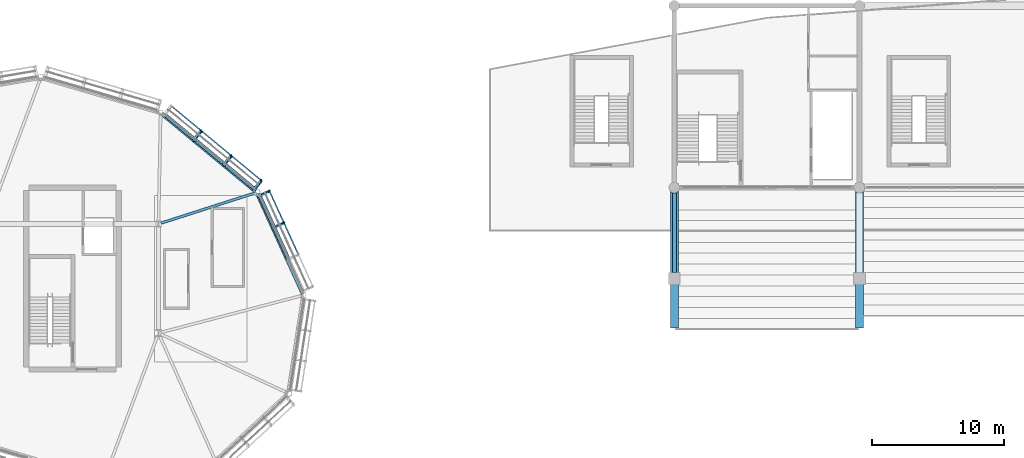
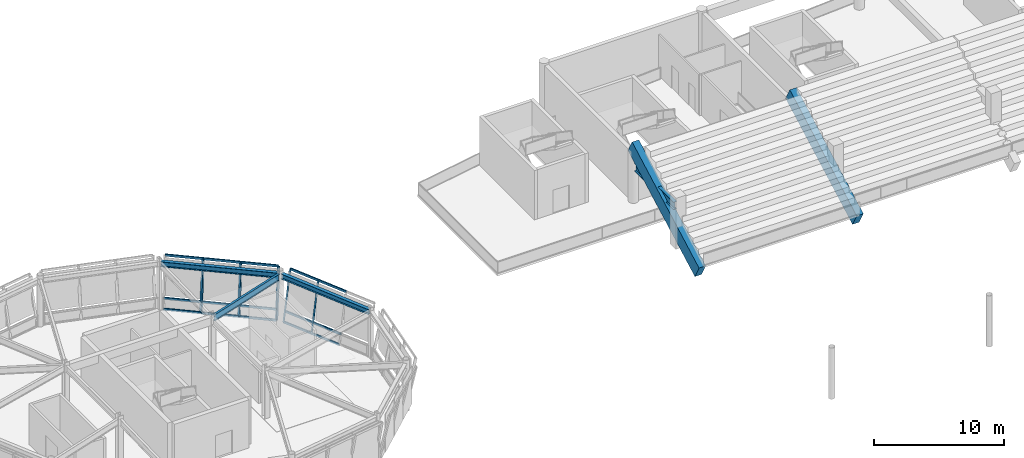
# One storey, part 47 of 94: 20 members, 6 beams, 2 elements without a shape of their own.
"""IFC4 building model written with IfcOpenShell, lengths in metres."""

from ifc_helpers import new_model, si_unit, direction, frame, origin, origin_2d, place, context, subcontext, project, spatial, rectangle, hollow_rectangle, i_section, extrude, material, material_profile, profile_set, type_object, element, aggregate, save


model = new_model("IFC4")

# Units and contexts
model_context = context("Model", 3, precision=1e-05, world=origin(), true_north=direction((0.0, 1.0)))
body_context = subcontext(model_context, "Body", "Model", "MODEL_VIEW")
ifc_project = project(units=[si_unit("LENGTHUNIT", "METRE"), si_unit("AREAUNIT", "SQUARE_METRE"), si_unit("VOLUMEUNIT", "CUBIC_METRE"), si_unit("PLANEANGLEUNIT", "RADIAN"), si_unit("MASSUNIT", "GRAM", prefix="KILO")], contexts=[model_context])

# Site, building, storey
site_placement = place(None, origin())
site = spatial("IfcSite", under=ifc_project, at=site_placement, CompositionType="ELEMENT")
building_placement = place(site_placement, origin())
building = spatial("IfcBuilding", under=site, at=building_placement, Name="Linyun Crest Stadium", CompositionType="ELEMENT")
storey_placement = place(building_placement, frame((0.0, 0.0, 16.199951171875)))
storey = spatial("IfcBuildingStorey", under=building, at=storey_placement, Name="L04", CompositionType="ELEMENT", Elevation=16.199951171875)

# Beams
ifc_material_1 = material(Name="Steel Q355C", Category="steel")
ifc_material_profile_1 = material_profile(ifc_material_1, i_section(OverallWidth=0.300048828125, OverallDepth=0.488037109375, WebThickness=0.010986328125, FlangeThickness=0.01806640625, at=origin_2d()), Name="HM 488x300")
ifc_profile_set_1 = profile_set([ifc_material_profile_1], Name="Steel Q355C")
beam_type_1 = type_object("IfcBeamType", Name="B08", PredefinedType="BEAM", material=ifc_profile_set_1)
beam_1_placement = place(storey_placement, frame((-56.071044921875, 83.48095703125, 4.276123046875), z_axis=(-0.41441702614, 0.910087099373, 0.0), x_axis=(-0.910087099373, -0.41441702614, 0.0)))
element("IfcBeam", 1, at=beam_1_placement, inside=storey, type_object=beam_type_1, Name="Pod ring girder B08 L04 27", PredefinedType="BEAM", context=body_context, shape_type="SweptSolid", body=[
    extrude(i_section(OverallWidth=0.300048828125, OverallDepth=0.488037109375, WebThickness=0.010986328125, FlangeThickness=0.01806640625, at=origin_2d()), origin(), (0.0, 0.0, 1.0), 8.2958984375),
])
beam_2_placement = place(storey_placement, frame((-59.65087890625, 91.217041015625, 4.276123046875), z_axis=(-0.770371409823, 0.637595397512, 0.0), x_axis=(-0.637595397512, -0.770371409823, 0.0)))
element("IfcBeam", 2, at=beam_2_placement, inside=storey, type_object=beam_type_1, Name="Pod ring girder B08 L04 29", PredefinedType="BEAM", context=body_context, shape_type="SweptSolid", body=[
    extrude(i_section(OverallWidth=0.300048828125, OverallDepth=0.488037109375, WebThickness=0.010986328125, FlangeThickness=0.01806640625, at=origin_2d()), origin(), (0.0, 0.0, 1.0), 9.204833984375),
])
ifc_material_2 = material(Name="Steel Q355C", Category="steel")
ifc_material_profile_2 = material_profile(ifc_material_2, i_section(OverallWidth=0.199951171875, OverallDepth=0.60009765625, WebThickness=0.010986328125, FlangeThickness=0.01708984375, at=origin_2d()), Name="HN 600x200")
ifc_profile_set_2 = profile_set([ifc_material_profile_2], Name="Steel Q355C")
beam_type_2 = type_object("IfcBeamType", Name="B11", PredefinedType="BEAM", material=ifc_profile_set_2)
beam_3_placement = place(storey_placement, frame((-66.81005859375, 88.81103515625, 4.219970703125), z_axis=(0.952088987816, 0.305821123011, 0.0), x_axis=(-0.305821123011, 0.952088987816, 0.0)))
element("IfcBeam", 3, at=beam_3_placement, inside=storey, type_object=beam_type_2, Name="Pod radial tie girder B11 L04 30", PredefinedType="BEAM", context=body_context, shape_type="SweptSolid", body=[
    extrude(i_section(OverallWidth=0.199951171875, OverallDepth=0.60009765625, WebThickness=0.010986328125, FlangeThickness=0.01708984375, at=origin_2d()), origin(), (0.0, 0.0, 1.0), 7.396240234375),
])
ifc_material_3 = material(Name="Steel Q355C", Category="steel")
ifc_material_profile_3 = material_profile(ifc_material_3, i_section(OverallWidth=0.300048828125, OverallDepth=0.699951171875, WebThickness=0.012939453125, FlangeThickness=0.02392578125, at=origin_2d()), Name="HN 700x300")
ifc_profile_set_3 = profile_set([ifc_material_profile_3], Name="Steel Q355C")
beam_type_3 = type_object("IfcBeamType", Name="B12", PredefinedType="BEAM", material=ifc_profile_set_3)
beam_4_placement = place(storey_placement, frame((-28.0, 85.074951171875, 3.420166015625), z_axis=(0.0, 1.0, 0.0), x_axis=(-1.0, 0.0, 0.0)))
element("IfcBeam", 4, at=beam_4_placement, inside=storey, type_object=beam_type_3, Name="Frame beam B12 L04 814", PredefinedType="BEAM", context=body_context, shape_type="SweptSolid", body=[
    extrude(i_section(OverallWidth=0.300048828125, OverallDepth=0.699951171875, WebThickness=0.012939453125, FlangeThickness=0.02392578125, at=origin_2d()), origin(), (0.0, 0.0, 1.0), 6.025146484375),
])

# Curtain wall, members
ifc_material_4 = material(Name="Verdigris steel and low-E curtain wall assembly", Category="steel")
curtain_wall_type = type_object("IfcCurtainWallType", Name="MCW04", PredefinedType="NOTDEFINED", material=ifc_material_4)
curtain_wall_1_placement = place(storey_placement, origin())
curtain_wall_1 = element("IfcCurtainWall", 5, at=curtain_wall_1_placement, inside=storey, type_object=curtain_wall_type, Name="CWR-002", PredefinedType="NOTDEFINED")
ifc_material_5 = material(Name="Verdigris painted steel Q355C pod mullion", Category="steel")
ifc_material_profile_4 = material_profile(ifc_material_5, hollow_rectangle(XDim=0.1201171875, YDim=0.219970703125, WallThickness=0.008056640625, at=origin_2d()), Name="RHS 220x120x8")
ifc_profile_set_4 = profile_set([ifc_material_profile_4], Name="Verdigris painted steel Q355C pod mullion")
member_type_1 = type_object("IfcMemberType", Name="ML04", PredefinedType="MULLION", material=ifc_profile_set_4)
member_1_placement = place(storey_placement, frame((-58.337890625, 88.4599609375, 0.0), z_axis=(0.181261313522, 0.08261095674, 0.979959063455), x_axis=(0.747051740721, -0.659617384202, -0.082574833601)))
member_1 = element("IfcMember", 6, at=member_1_placement, type_object=member_type_1, Name="CWR-002 mullion 3", PredefinedType="MULLION", context=body_context, shape_type="SweptSolid", body=[
    extrude(hollow_rectangle(XDim=0.1201171875, YDim=0.219970703125, WallThickness=0.008056640625, at=origin_2d()), origin(), (0.0, 0.0, 1.0), 4.55126953125),
])
member_2_placement = place(storey_placement, frame((-59.43505859375, 90.866943359375, 0.0), z_axis=(0.181520699528, 0.082606937728, 0.979911388587), x_axis=(0.74666575297, -0.660042115453, -0.082671997496)))
member_2 = element("IfcMember", 7, at=member_2_placement, type_object=member_type_1, Name="CWR-002 mullion 4", PredefinedType="MULLION", context=body_context, shape_type="SweptSolid", body=[
    extrude(hollow_rectangle(XDim=0.1201171875, YDim=0.219970703125, WallThickness=0.008056640625, at=origin_2d()), origin(), (0.0, 0.0, 1.0), 4.551513671875),
])

curtain_wall_2_placement = place(storey_placement, origin())
curtain_wall_2 = element("IfcCurtainWall", 8, at=curtain_wall_2_placement, inside=storey, type_object=curtain_wall_type, Name="CWR-003", PredefinedType="NOTDEFINED")
member_3_placement = place(storey_placement, frame((-59.7900390625, 91.3310546875, 0.0), z_axis=(0.127236122693, 0.153573785527, 0.979911251839), x_axis=(0.972616489706, 0.174405811147, -0.153622189123)))
member_3 = element("IfcMember", 9, at=member_3_placement, type_object=member_type_1, Name="CWR-003 mullion 1", PredefinedType="MULLION", context=body_context, shape_type="SweptSolid", body=[
    extrude(hollow_rectangle(XDim=0.1201171875, YDim=0.219970703125, WallThickness=0.008056640625, at=origin_2d()), origin(), (0.0, 0.0, 1.0), 4.551513671875),
])
member_4_placement = place(storey_placement, frame((-62.06103515625, 93.2109375, 0.0), z_axis=(0.127236122693, 0.153573785527, 0.979911251839), x_axis=(0.972616489706, 0.174405811147, -0.153622189123)))
member_4 = element("IfcMember", 10, at=member_4_placement, type_object=member_type_1, Name="CWR-003 mullion 2", PredefinedType="MULLION", context=body_context, shape_type="SweptSolid", body=[
    extrude(hollow_rectangle(XDim=0.1201171875, YDim=0.219970703125, WallThickness=0.008056640625, at=origin_2d()), origin(), (0.0, 0.0, 1.0), 4.551513671875),
])
member_5_placement = place(storey_placement, frame((-64.33203125, 95.092041015625, 0.0), z_axis=(0.127236122693, 0.153573785527, 0.979911251839), x_axis=(0.972616489706, 0.174405811147, -0.153622189123)))
member_5 = element("IfcMember", 11, at=member_5_placement, type_object=member_type_1, Name="CWR-003 mullion 3", PredefinedType="MULLION", context=body_context, shape_type="SweptSolid", body=[
    extrude(hollow_rectangle(XDim=0.1201171875, YDim=0.219970703125, WallThickness=0.008056640625, at=origin_2d()), origin(), (0.0, 0.0, 1.0), 4.551513671875),
])

# Beams
ifc_material_6 = material(Name="Precast concrete C50", Category="concrete")
ifc_material_profile_5 = material_profile(ifc_material_6, rectangle(XDim=0.60009765625, YDim=1.35009765625, at=origin_2d()), Name="PCR 1350x600")
ifc_profile_set_5 = profile_set([ifc_material_profile_5], Name="Precast concrete C50")
beam_type_4 = type_object("IfcBeamType", Name="RB03", PredefinedType="USERDEFINED", material=ifc_profile_set_5)
for number, where, z_axis, x_axis, name in (
    (12, (-28.0, 81.199951171875, -0.39990234375), (0.0, 0.878552895081, 0.47764506754), (-1.0, 0.0, 0.0), "Precast raker beam RB03 V3 67"),
    (13, (-14.0, 81.199951171875, -0.39990234375), (0.0, 0.878552895081, 0.47764506754), (-1.0, 0.0, 0.0), "Precast raker beam RB03 V3 73"),
):
    element("IfcBeam", number, at=place(storey_placement, frame(where, z_axis=z_axis, x_axis=x_axis)), inside=storey, type_object=beam_type_4, Name=name, ObjectType="RAKER", PredefinedType="USERDEFINED", context=body_context, shape_type="SweptSolid", body=[
        extrude(rectangle(XDim=0.60009765625, YDim=1.35009765625, at=origin_2d()), origin(), (0.0, 0.0, 1.0), 11.723876953125),
    ])

# Member
ifc_material_7 = material(Name="Verdigris painted steel Q355C transom", Category="steel")
ifc_material_profile_6 = material_profile(ifc_material_7, hollow_rectangle(XDim=0.10009765625, YDim=0.199951171875, WallThickness=0.008056640625, at=origin_2d()), Name="RHS 200x100x8")
ifc_profile_set_6 = profile_set([ifc_material_profile_6], Name="Verdigris painted steel Q355C transom")
member_type_2 = type_object("IfcMemberType", Name="TR03", PredefinedType="USERDEFINED", material=ifc_profile_set_6)
member_6_placement = place(storey_placement, frame((-57.241943359375, 86.052001953125, 0.0), z_axis=(-0.414247864609, 0.910164109744, 0.0), x_axis=(-0.910164109744, -0.414247864609, 0.0)))
member_6 = element("IfcMember", 14, at=member_6_placement, type_object=member_type_2, Name="CWR-002 transom 2.1", ObjectType="TRANSOM", PredefinedType="USERDEFINED", context=body_context, shape_type="SweptSolid", body=[
    extrude(hollow_rectangle(XDim=0.10009765625, YDim=0.199951171875, WallThickness=0.008056640625, at=origin_2d()), origin(), (0.0, 0.0, 1.0), 2.645751953125),
])

member_7_placement = place(storey_placement, frame((-57.074951171875, 86.1279296875, 0.900146484375), z_axis=(-0.414629980899, 0.909990098265, 0.0), x_axis=(-0.909990098265, -0.414629980899, 0.0)))
member_7 = element("IfcMember", 15, at=member_7_placement, type_object=member_type_2, Name="CWR-002 transom 2.2", ObjectType="TRANSOM", PredefinedType="USERDEFINED", context=body_context, shape_type="SweptSolid", body=[
    extrude(hollow_rectangle(XDim=0.10009765625, YDim=0.199951171875, WallThickness=0.008056640625, at=origin_2d()), origin(), (0.0, 0.0, 1.0), 2.646240234375),
])

member_8_placement = place(storey_placement, frame((-56.416015625, 86.428955078125, 4.4599609375), z_axis=(-0.414692848815, 0.90996145036, 0.0), x_axis=(-0.90996145036, -0.414692848815, 0.0)))
member_8 = element("IfcMember", 16, at=member_8_placement, type_object=member_type_2, Name="CWR-002 transom 2.3", ObjectType="TRANSOM", PredefinedType="USERDEFINED", context=body_context, shape_type="SweptSolid", body=[
    extrude(hollow_rectangle(XDim=0.10009765625, YDim=0.199951171875, WallThickness=0.008056640625, at=origin_2d()), origin(), (0.0, 0.0, 1.0), 2.645263671875),
])

member_9_placement = place(storey_placement, frame((-58.337890625, 88.4599609375, 0.0), z_axis=(-0.414769269545, 0.909926619591, 0.0), x_axis=(-0.909926619591, -0.414769269545, 0.0)))
member_9 = element("IfcMember", 17, at=member_9_placement, type_object=member_type_2, Name="CWR-002 transom 3.1", ObjectType="TRANSOM", PredefinedType="USERDEFINED", context=body_context, shape_type="SweptSolid", body=[
    extrude(hollow_rectangle(XDim=0.10009765625, YDim=0.199951171875, WallThickness=0.008056640625, at=origin_2d()), origin(), (0.0, 0.0, 1.0), 2.645263671875),
])

member_10_placement = place(storey_placement, frame((-58.172119140625, 88.535888671875, 0.900146484375), z_axis=(-0.414352266897, 0.910116585343, 0.0), x_axis=(-0.910116585343, -0.414352266897, 0.0)))
member_10 = element("IfcMember", 18, at=member_10_placement, type_object=member_type_2, Name="CWR-002 transom 3.2", ObjectType="TRANSOM", PredefinedType="USERDEFINED", context=body_context, shape_type="SweptSolid", body=[
    extrude(hollow_rectangle(XDim=0.10009765625, YDim=0.199951171875, WallThickness=0.008056640625, at=origin_2d()), origin(), (0.0, 0.0, 1.0), 2.64501953125),
])

member_11_placement = place(storey_placement, frame((-57.512939453125, 88.8359375, 4.4599609375), z_axis=(-0.414387078143, 0.91010073589, 0.0), x_axis=(-0.91010073589, -0.414387078143, 0.0)))
member_11 = element("IfcMember", 19, at=member_11_placement, type_object=member_type_2, Name="CWR-002 transom 3.3", ObjectType="TRANSOM", PredefinedType="USERDEFINED", context=body_context, shape_type="SweptSolid", body=[
    extrude(hollow_rectangle(XDim=0.10009765625, YDim=0.199951171875, WallThickness=0.008056640625, at=origin_2d()), origin(), (0.0, 0.0, 1.0), 2.644775390625),
])

aggregate(curtain_wall_1, [member_1, member_2, member_6, member_7, member_8, member_9, member_10, member_11])

member_12_placement = place(storey_placement, frame((-59.7900390625, 91.3310546875, 0.0), z_axis=(-0.770321380351, 0.63765584054, 0.0), x_axis=(-0.63765584054, -0.770321380351, 0.0)))
member_12 = element("IfcMember", 20, at=member_12_placement, type_object=member_type_2, Name="CWR-003 transom 1.1", ObjectType="TRANSOM", PredefinedType="USERDEFINED", context=body_context, shape_type="SweptSolid", body=[
    extrude(hollow_rectangle(XDim=0.10009765625, YDim=0.199951171875, WallThickness=0.008056640625, at=origin_2d()), origin(), (0.0, 0.0, 1.0), 2.947998046875),
])

member_13_placement = place(storey_placement, frame((-59.673095703125, 91.471923828125, 0.900146484375), z_axis=(-0.770280703464, 0.637704977142, 0.0), x_axis=(-0.637704977142, -0.770280703464, 0.0)))
member_13 = element("IfcMember", 21, at=member_13_placement, type_object=member_type_2, Name="CWR-003 transom 1.2", ObjectType="TRANSOM", PredefinedType="USERDEFINED", context=body_context, shape_type="SweptSolid", body=[
    extrude(hollow_rectangle(XDim=0.10009765625, YDim=0.199951171875, WallThickness=0.008056640625, at=origin_2d()), origin(), (0.0, 0.0, 1.0), 2.9482421875),
])

member_14_placement = place(storey_placement, frame((-59.2109375, 92.030029296875, 4.4599609375), z_axis=(-0.770321380351, 0.63765584054, 0.0), x_axis=(-0.63765584054, -0.770321380351, 0.0)))
member_14 = element("IfcMember", 22, at=member_14_placement, type_object=member_type_2, Name="CWR-003 transom 1.3", ObjectType="TRANSOM", PredefinedType="USERDEFINED", context=body_context, shape_type="SweptSolid", body=[
    extrude(hollow_rectangle(XDim=0.10009765625, YDim=0.199951171875, WallThickness=0.008056640625, at=origin_2d()), origin(), (0.0, 0.0, 1.0), 2.947998046875),
])

member_15_placement = place(storey_placement, frame((-62.06103515625, 93.2109375, 0.0), z_axis=(-0.770118007544, 0.637901445724, 0.0), x_axis=(-0.637901445724, -0.770118007544, 0.0)))
member_15 = element("IfcMember", 23, at=member_15_placement, type_object=member_type_2, Name="CWR-003 transom 2.1", ObjectType="TRANSOM", PredefinedType="USERDEFINED", context=body_context, shape_type="SweptSolid", body=[
    extrude(hollow_rectangle(XDim=0.10009765625, YDim=0.199951171875, WallThickness=0.008056640625, at=origin_2d()), origin(), (0.0, 0.0, 1.0), 2.948974609375),
])

member_16_placement = place(storey_placement, frame((-61.944091796875, 93.35205078125, 0.900146484375), z_axis=(-0.770158679778, 0.63785234025, 0.0), x_axis=(-0.63785234025, -0.770158679778, 0.0)))
member_16 = element("IfcMember", 24, at=member_16_placement, type_object=member_type_2, Name="CWR-003 transom 2.2", ObjectType="TRANSOM", PredefinedType="USERDEFINED", context=body_context, shape_type="SweptSolid", body=[
    extrude(hollow_rectangle(XDim=0.10009765625, YDim=0.199951171875, WallThickness=0.008056640625, at=origin_2d()), origin(), (0.0, 0.0, 1.0), 2.94873046875),
])

member_17_placement = place(storey_placement, frame((-61.48193359375, 93.909912109375, 4.4599609375), z_axis=(-0.770118007544, 0.637901445724, 0.0), x_axis=(-0.637901445724, -0.770118007544, 0.0)))
member_17 = element("IfcMember", 25, at=member_17_placement, type_object=member_type_2, Name="CWR-003 transom 2.3", ObjectType="TRANSOM", PredefinedType="USERDEFINED", context=body_context, shape_type="SweptSolid", body=[
    extrude(hollow_rectangle(XDim=0.10009765625, YDim=0.199951171875, WallThickness=0.008056640625, at=origin_2d()), origin(), (0.0, 0.0, 1.0), 2.948974609375),
])

member_18_placement = place(storey_placement, frame((-64.33203125, 95.092041015625, 0.0), z_axis=(-0.770321380351, 0.63765584054, 0.0), x_axis=(-0.63765584054, -0.770321380351, 0.0)))
member_18 = element("IfcMember", 26, at=member_18_placement, type_object=member_type_2, Name="CWR-003 transom 3.1", ObjectType="TRANSOM", PredefinedType="USERDEFINED", context=body_context, shape_type="SweptSolid", body=[
    extrude(hollow_rectangle(XDim=0.10009765625, YDim=0.199951171875, WallThickness=0.008056640625, at=origin_2d()), origin(), (0.0, 0.0, 1.0), 2.947998046875),
])

member_19_placement = place(storey_placement, frame((-64.215087890625, 95.23291015625, 0.900146484375), z_axis=(-0.770280703464, 0.637704977142, 0.0), x_axis=(-0.637704977142, -0.770280703464, 0.0)))
member_19 = element("IfcMember", 27, at=member_19_placement, type_object=member_type_2, Name="CWR-003 transom 3.2", ObjectType="TRANSOM", PredefinedType="USERDEFINED", context=body_context, shape_type="SweptSolid", body=[
    extrude(hollow_rectangle(XDim=0.10009765625, YDim=0.199951171875, WallThickness=0.008056640625, at=origin_2d()), origin(), (0.0, 0.0, 1.0), 2.9482421875),
])

member_20_placement = place(storey_placement, frame((-63.7529296875, 95.791015625, 4.4599609375), z_axis=(-0.770321380351, 0.63765584054, 0.0), x_axis=(-0.63765584054, -0.770321380351, 0.0)))
member_20 = element("IfcMember", 28, at=member_20_placement, type_object=member_type_2, Name="CWR-003 transom 3.3", ObjectType="TRANSOM", PredefinedType="USERDEFINED", context=body_context, shape_type="SweptSolid", body=[
    extrude(hollow_rectangle(XDim=0.10009765625, YDim=0.199951171875, WallThickness=0.008056640625, at=origin_2d()), origin(), (0.0, 0.0, 1.0), 2.947998046875),
])

aggregate(curtain_wall_2, [member_3, member_4, member_5, member_12, member_13, member_14, member_15, member_16, member_17, member_18, member_19, member_20])

save(model, "model.ifc")
